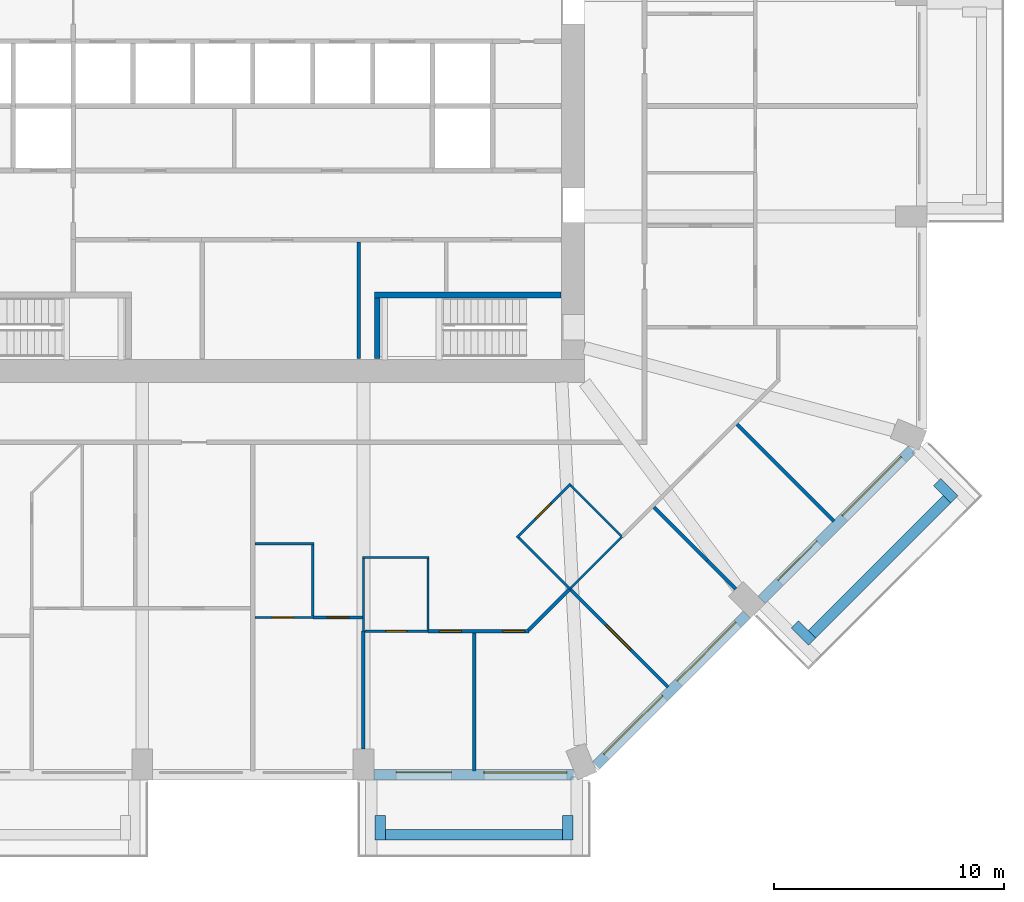
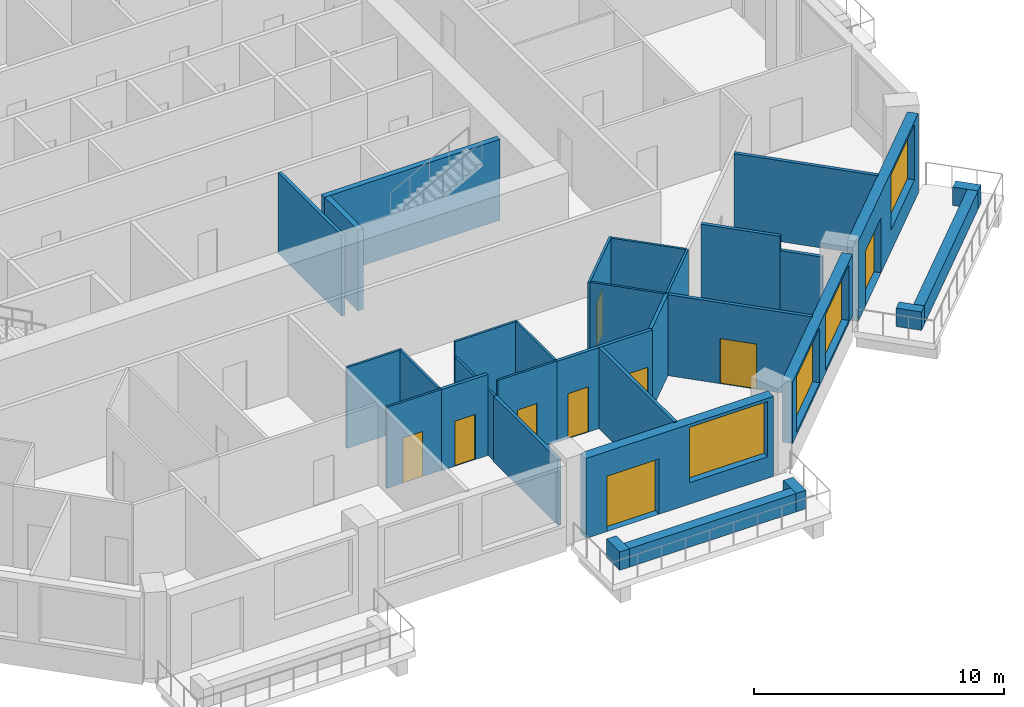
# One storey, part 5 of 13: 32 walls, 9 doors, 4 windows, 13 openings.
"""IFC4 building model written with IfcOpenShell, lengths in metres."""

from ifc_helpers import new_model, si_unit, direction, frame, frame_2d, origin, place, context, subcontext, project, spatial, rectangle, extrude, material, layer, layer_set, type_object, element, fill, save


model = new_model("IFC4")

# Units and contexts
model_context = context("Model", 3, precision=1e-05, world=origin(), true_north=direction((0.0, 1.0)))
body_context = subcontext(model_context, "Body", "Model", "MODEL_VIEW")
ifc_project = project(units=[si_unit("LENGTHUNIT", "METRE"), si_unit("AREAUNIT", "SQUARE_METRE"), si_unit("VOLUMEUNIT", "CUBIC_METRE"), si_unit("PLANEANGLEUNIT", "RADIAN"), si_unit("MASSUNIT", "GRAM", prefix="KILO")], contexts=[model_context])

# Site, building, storey
site_placement = place(None, origin())
site = spatial("IfcSite", under=ifc_project, at=site_placement, CompositionType="ELEMENT")
building_placement = place(site_placement, origin())
building = spatial("IfcBuilding", under=site, at=building_placement, Name="Msitu Wima Residences", CompositionType="ELEMENT")
storey_placement = place(building_placement, frame((0.0, 0.0, 46.5)))
storey = spatial("IfcBuildingStorey", under=building, at=storey_placement, Name="L10", CompositionType="ELEMENT", Elevation=46.5)

# Walls
ifc_material_1 = material(Name="Facing brick")
ifc_layer_1 = layer(ifc_material_1, 0.06494140625, Name="Facing brick")
ifc_material_2 = material(Name="Concrete C40/50", Category="concrete")
ifc_layer_2 = layer(ifc_material_2, 0.156005859375, Name="Concrete C40/50")
ifc_material_3 = material(Name="Waterproofing membrane")
ifc_layer_3 = layer(ifc_material_3, 0.00390625, Name="Waterproofing membrane")
ifc_material_4 = material(Name="Planting soil and planting")
ifc_layer_4 = layer(ifc_material_4, 0.22509765625, Name="Planting soil and planting")
ifc_layer_set_1 = layer_set([ifc_layer_1, ifc_layer_2, ifc_layer_3, ifc_layer_4], Name="Concrete C40/50")
wall_type_1 = type_object("IfcWallType", Name="Balcony planter PLANTER PL450", PredefinedType="USERDEFINED", material=ifc_layer_set_1)
wall_1_placement = place(storey_placement, frame((5.75, -31.625, 0.0), z_axis=(0.0, 0.0, 1.0), x_axis=(1.0, 0.0, 0.0)))
element("IfcWall", 1, at=wall_1_placement, inside=storey, type_object=wall_type_1, Name="Balcony planter S2 L10", ObjectType="PLANTER", PredefinedType="USERDEFINED", context=body_context, shape_type="SweptSolid", body=[
    extrude(rectangle(XDim=7.699951171875, YDim=0.449951171875, at=frame_2d((3.85009765625, 0.0))), origin(), (0.0, 0.0, 1.0), 0.89990234375),
])
for number, where, z_axis, x_axis, name in (
    (2, (5.52490234375, -30.800048828125, 0.0), (0.0, 0.0, 1.0), (0.0, -1.0, 0.0), "Balcony planter S2 L10"),
    (3, (13.675048828125, -30.800048828125, 0.0), (0.0, 0.0, 1.0), (0.0, -1.0, 0.0), "Balcony planter S2 L10"),
):
    element("IfcWall", number, at=place(storey_placement, frame(where, z_axis=z_axis, x_axis=x_axis)), inside=storey, type_object=wall_type_1, Name=name, ObjectType="PLANTER", PredefinedType="USERDEFINED", context=body_context, shape_type="SweptSolid", body=[
        extrude(rectangle(XDim=1.050048828125, YDim=0.449951171875, at=frame_2d((0.52490234375, 0.0))), origin(), (0.0, 0.0, 1.0), 0.89990234375),
    ])
wall_2_placement = place(storey_placement, frame((24.269287109375, -22.92578125, 0.0), z_axis=(0.0, 0.0, 1.0), x_axis=(0.707106781187, 0.707106781187, 0.0)))
element("IfcWall", 4, at=wall_2_placement, inside=storey, type_object=wall_type_1, Name="Balcony planter SE1 L10", ObjectType="PLANTER", PredefinedType="USERDEFINED", context=body_context, shape_type="SweptSolid", body=[
    extrude(rectangle(XDim=8.2822265625, YDim=0.449951171875, at=frame_2d((4.14111328125, 0.0))), origin(), (0.0, 0.0, 1.0), 0.89990234375),
])
for number, where, z_axis, x_axis, name in (
    (5, (23.52685546875, -22.50146484375, 0.0), (0.0, 0.0, 1.0), (0.706990528533, -0.707223014731, 0.0), "Balcony planter SE1 L10"),
    (6, (29.70166015625, -16.326904296875, 0.0), (0.0, 0.0, 1.0), (0.707106781187, -0.707106781187, 0.0), "Balcony planter SE1 L10"),
):
    element("IfcWall", number, at=place(storey_placement, frame(where, z_axis=z_axis, x_axis=x_axis)), inside=storey, type_object=wall_type_1, Name=name, ObjectType="PLANTER", PredefinedType="USERDEFINED", context=body_context, shape_type="SweptSolid", body=[
        extrude(rectangle(XDim=1.050048828125, YDim=0.449951171875, at=frame_2d((0.52490234375, 0.0))), origin(), (0.0, 0.0, 1.0), 0.89990234375),
    ])

# Wall, openings, door, window
ifc_material_5 = material(Name="Brick (red buff mix)", Category="masonry")
ifc_layer_5 = layer(ifc_material_5, 0.449951171875)
ifc_layer_set_2 = layer_set([ifc_layer_5], Name="Brick (red buff mix)")
wall_type_2 = type_object("IfcWallType", Name="Brick infill wall BW450", PredefinedType="SOLIDWALL", material=ifc_layer_set_2)
wall_3_placement = place(storey_placement, frame((5.25, -29.02490234375, 0.0), z_axis=(0.0, 0.0, 1.0), x_axis=(1.0, 0.0, 0.0)))
wall_3 = element("IfcWall", 7, at=wall_3_placement, inside=storey, type_object=wall_type_2, Name="Brick infill wall L10 S2", PredefinedType="SOLIDWALL", context=body_context, shape_type="SweptSolid", body=[
    extrude(rectangle(XDim=8.662841796875, YDim=0.449951171875, at=frame_2d((4.33154296875, 0.0))), origin(), (0.0, 0.0, 1.0), 3.89990234375),
])
opening_1_placement = place(wall_3_placement, frame((0.9658203125, 0.0, 0.0)))
opening_1 = element("IfcOpeningElement", 8, at=opening_1_placement, cuts=wall_3, Name="Opening D08-10.007", PredefinedType="OPENING", context=body_context, shape_type="SweptSolid", body=[
    extrude(rectangle(XDim=2.39990234375, YDim=2.699951171875, at=frame_2d((1.199951171875, 1.35009765625))), frame((0.0, 0.23486328125, 0.0), z_axis=(0.0, -1.0, 0.0), x_axis=(1.0, 0.0, 0.0)), (0.0, 0.0, 1.0), 0.469970703125),
])
opening_2_placement = place(wall_3_placement, frame((4.781494140625, 0.0, 1.050048828125)))
opening_2 = element("IfcOpeningElement", 9, at=opening_2_placement, cuts=wall_3, Name="Opening W08-10.019", PredefinedType="OPENING", context=body_context, shape_type="SweptSolid", body=[
    extrude(rectangle(XDim=3.60009765625, YDim=2.699951171875, at=frame_2d((1.800048828125, 1.35009765625))), frame((0.0, 0.23486328125, 0.0), z_axis=(0.0, -1.0, 0.0), x_axis=(1.0, 0.0, 0.0)), (0.0, 0.0, 1.0), 0.469970703125),
])
ifc_material_6 = material(Name="Anodised aluminium, bronze finish, clear low-emissivity double glazing", Category="aluminium")
door_type_1 = type_object("IfcDoorType", Name="Balcony door D2400x2700", OperationType="SLIDING_TO_LEFT", PredefinedType="DOOR", material=ifc_material_6)
door_1_placement = place(opening_1_placement, origin())
door_1 = element("IfcDoor", 10, at=door_1_placement, inside=storey, type_object=door_type_1, Name="Balcony door L10 S2", OperationType="SINGLE_SWING_LEFT", OverallHeight=2.699951171875, OverallWidth=2.39990234375, PredefinedType="DOOR", context=body_context, shape_type="SweptSolid", body=[
    extrude(rectangle(XDim=2.39990234375, YDim=2.699951171875, at=frame_2d((1.199951171875, 1.35009765625))), frame((0.0, 0.1298828125, 0.0), z_axis=(0.0, -1.0, 0.0), x_axis=(1.0, 0.0, 0.0)), (0.0, 0.0, 1.0), 0.050048828125),
])
fill(opening_1, door_1)
window_type = type_object("IfcWindowType", Name="Window W3600x2700", PartitioningType="DOUBLE_PANEL_VERTICAL", PredefinedType="WINDOW", material=ifc_material_6)
window_1_placement = place(opening_2_placement, origin())
window_1 = element("IfcWindow", 11, at=window_1_placement, inside=storey, type_object=window_type, Name="Window L10 S2.2", OverallHeight=2.699951171875, OverallWidth=3.60009765625, PartitioningType="SINGLE_PANEL", PredefinedType="WINDOW", context=body_context, shape_type="SweptSolid", body=[
    extrude(rectangle(XDim=3.60009765625, YDim=2.699951171875, at=frame_2d((1.800048828125, 1.35009765625))), frame((0.0, 0.135009765625, 0.0), z_axis=(0.0, -1.0, 0.0), x_axis=(1.0, 0.0, 0.0)), (0.0, 0.0, 1.0), 0.06005859375),
])
fill(opening_2, window_1)

# Wall, openings, windows
wall_4_placement = place(storey_placement, frame((14.903564453125, -28.61474609375, 0.89990234375), z_axis=(0.0, 0.0, 1.0), x_axis=(0.707106781187, 0.707106781187, 0.0)))
wall_4 = element("IfcWall", 12, at=wall_4_placement, inside=storey, type_object=wall_type_2, Name="Brick infill wall L10 SE0", PredefinedType="SOLIDWALL", context=body_context, shape_type="SweptSolid", body=[
    extrude(rectangle(XDim=9.2451171875, YDim=0.449951171875, at=frame_2d((4.62255859375, 0.0))), origin(), (0.0, 0.0, 1.0), 3.0),
])
opening_3_placement = place(wall_4_placement, frame((0.572509765625, 0.0, 0.14990234375)))
opening_3 = element("IfcOpeningElement", 13, at=opening_3_placement, cuts=wall_4, Name="Opening W08-10.020", PredefinedType="OPENING", context=body_context, shape_type="SweptSolid", body=[
    extrude(rectangle(XDim=3.60009765625, YDim=2.699951171875, at=frame_2d((1.800048828125, 1.35009765625))), frame((0.0, 0.23486328125, 0.0), z_axis=(0.0, -1.0, 0.0), x_axis=(1.0, 0.0, 0.0)), (0.0, 0.0, 1.0), 0.469970703125),
])
opening_4_placement = place(wall_4_placement, frame((5.072509765625, 0.0, 0.14990234375)))
opening_4 = element("IfcOpeningElement", 14, at=opening_4_placement, cuts=wall_4, Name="Opening W08-10.021", PredefinedType="OPENING", context=body_context, shape_type="SweptSolid", body=[
    extrude(rectangle(XDim=3.60009765625, YDim=2.699951171875, at=frame_2d((1.800048828125, 1.35009765625))), frame((0.0, 0.23486328125, 0.0), z_axis=(0.0, -1.0, 0.0), x_axis=(1.0, 0.0, 0.0)), (0.0, 0.0, 1.0), 0.469970703125),
])
window_2_placement = place(opening_3_placement, origin())
window_2 = element("IfcWindow", 15, at=window_2_placement, inside=storey, type_object=window_type, Name="Window L10 SE0.1", OverallHeight=2.699951171875, OverallWidth=3.60009765625, PartitioningType="SINGLE_PANEL", PredefinedType="WINDOW", context=body_context, shape_type="SweptSolid", body=[
    extrude(rectangle(XDim=3.60009765625, YDim=2.699951171875, at=frame_2d((1.800048828125, 1.35009765625))), frame((0.0, 0.135009765625, 0.0), z_axis=(0.0, -1.0, 0.0), x_axis=(1.0, 0.0, 0.0)), (0.0, 0.0, 1.0), 0.06005859375),
])
fill(opening_3, window_2)
window_3_placement = place(opening_4_placement, origin())
window_3 = element("IfcWindow", 16, at=window_3_placement, inside=storey, type_object=window_type, Name="Window L10 SE0.2", OverallHeight=2.699951171875, OverallWidth=3.60009765625, PartitioningType="SINGLE_PANEL", PredefinedType="WINDOW", context=body_context, shape_type="SweptSolid", body=[
    extrude(rectangle(XDim=3.60009765625, YDim=2.699951171875, at=frame_2d((1.800048828125, 1.35009765625))), frame((0.0, 0.135009765625, 0.0), z_axis=(0.0, -1.0, 0.0), x_axis=(1.0, 0.0, 0.0)), (0.0, 0.0, 1.0), 0.06005859375),
])
fill(opening_4, window_3)

# Wall, openings, door, window
wall_5_placement = place(storey_placement, frame((22.077392578125, -21.44091796875, 0.0), z_axis=(0.0, 0.0, 1.0), x_axis=(0.707106781187, 0.707106781187, 0.0)))
wall_5 = element("IfcWall", 17, at=wall_5_placement, inside=storey, type_object=wall_type_2, Name="Brick infill wall L10 SE1", PredefinedType="SOLIDWALL", context=body_context, shape_type="SweptSolid", body=[
    extrude(rectangle(XDim=9.2451171875, YDim=0.449951171875, at=frame_2d((4.62255859375, 0.0))), origin(), (0.0, 0.0, 1.0), 3.89990234375),
])
opening_5_placement = place(wall_5_placement, frame((1.111328125, 0.0, 0.0)))
opening_5 = element("IfcOpeningElement", 18, at=opening_5_placement, cuts=wall_5, Name="Opening D08-10.008", PredefinedType="OPENING", context=body_context, shape_type="SweptSolid", body=[
    extrude(rectangle(XDim=2.39990234375, YDim=2.699951171875, at=frame_2d((1.199951171875, 1.35009765625))), frame((0.0, 0.23486328125, 0.0), z_axis=(0.0, -1.0, 0.0), x_axis=(1.0, 0.0, 0.0)), (0.0, 0.0, 1.0), 0.469970703125),
])
opening_6_placement = place(wall_5_placement, frame((5.072509765625, 0.0, 1.050048828125)))
opening_6 = element("IfcOpeningElement", 19, at=opening_6_placement, cuts=wall_5, Name="Opening W08-10.022", PredefinedType="OPENING", context=body_context, shape_type="SweptSolid", body=[
    extrude(rectangle(XDim=3.60009765625, YDim=2.699951171875, at=frame_2d((1.800048828125, 1.35009765625))), frame((0.0, 0.23486328125, 0.0), z_axis=(0.0, -1.0, 0.0), x_axis=(1.0, 0.0, 0.0)), (0.0, 0.0, 1.0), 0.469970703125),
])
door_2_placement = place(opening_5_placement, origin())
door_2 = element("IfcDoor", 20, at=door_2_placement, inside=storey, type_object=door_type_1, Name="Balcony door L10 SE1", OperationType="SINGLE_SWING_LEFT", OverallHeight=2.699951171875, OverallWidth=2.39990234375, PredefinedType="DOOR", context=body_context, shape_type="SweptSolid", body=[
    extrude(rectangle(XDim=2.39990234375, YDim=2.699951171875, at=frame_2d((1.199951171875, 1.35009765625))), frame((0.0, 0.1298828125, 0.0), z_axis=(0.0, -1.0, 0.0), x_axis=(1.0, 0.0, 0.0)), (0.0, 0.0, 1.0), 0.050048828125),
])
fill(opening_5, door_2)
window_4_placement = place(opening_6_placement, origin())
window_4 = element("IfcWindow", 21, at=window_4_placement, inside=storey, type_object=window_type, Name="Window L10 SE1.2", OverallHeight=2.699951171875, OverallWidth=3.60009765625, PartitioningType="SINGLE_PANEL", PredefinedType="WINDOW", context=body_context, shape_type="SweptSolid", body=[
    extrude(rectangle(XDim=3.60009765625, YDim=2.699951171875, at=frame_2d((1.800048828125, 1.35009765625))), frame((0.0, 0.135009765625, 0.0), z_axis=(0.0, -1.0, 0.0), x_axis=(1.0, 0.0, 0.0)), (0.0, 0.0, 1.0), 0.06005859375),
])
fill(opening_6, window_4)

# Wall, opening, door
ifc_material_7 = material(Name="Plaster")
ifc_layer_6 = layer(ifc_material_7, 0.011962890625, Name="Plaster")
ifc_material_8 = material(Name="Concrete blockwork", Category="masonry")
ifc_layer_7 = layer(ifc_material_8, 0.1259765625, Name="Concrete blockwork")
ifc_layer_8 = layer(ifc_material_7, 0.011962890625, Name="Plaster")
ifc_layer_set_3 = layer_set([ifc_layer_6, ifc_layer_7, ifc_layer_8], Name="Concrete blockwork")
wall_type_3 = type_object("IfcWallType", Name="Partition PW150", PredefinedType="PARTITIONING", material=ifc_layer_set_3)
wall_6_placement = place(storey_placement, frame((2.6201171875, -22.199951171875, 0.0), z_axis=(0.0, 0.0, 1.0), x_axis=(1.0, 0.0, 0.0)))
wall_6 = element("IfcWall", 22, at=wall_6_placement, inside=storey, type_object=wall_type_3, Name="Partition", PredefinedType="PARTITIONING", context=body_context, shape_type="SweptSolid", body=[
    extrude(rectangle(XDim=2.1298828125, YDim=0.14990234375, at=frame_2d((1.06494140625, 0.0))), origin(), (0.0, 0.0, 1.0), 3.949951171875),
])
opening_7_placement = place(wall_6_placement, frame((0.60009765625, 0.0, 0.0)))
opening_7 = element("IfcOpeningElement", 23, at=opening_7_placement, cuts=wall_6, Name="Opening D08-10.078", PredefinedType="OPENING", context=body_context, shape_type="SweptSolid", body=[
    extrude(rectangle(XDim=0.949951171875, YDim=2.199951171875, at=frame_2d((0.47509765625, 1.10009765625))), frame((0.0, 0.0849609375, 0.0), z_axis=(0.0, -1.0, 0.0), x_axis=(1.0, 0.0, 0.0)), (0.0, 0.0, 1.0), 0.169921875),
])
ifc_material_9 = material(Name="Timber flush door", Category="wood")
door_type_2 = type_object("IfcDoorType", Name="Room door D12 950x2200", OperationType="SINGLE_SWING_LEFT", PredefinedType="DOOR", material=ifc_material_9)
door_3_placement = place(opening_7_placement, origin())
door_3 = element("IfcDoor", 24, at=door_3_placement, inside=storey, type_object=door_type_2, Name="Room door", OperationType="SINGLE_SWING_LEFT", OverallHeight=2.199951171875, OverallWidth=0.949951171875, PredefinedType="DOOR", context=body_context, shape_type="SweptSolid", body=[
    extrude(rectangle(XDim=0.949951171875, YDim=2.199951171875, at=frame_2d((0.47509765625, 1.10009765625))), frame((0.0, 0.02490234375, 0.0), z_axis=(0.0, -1.0, 0.0), x_axis=(1.0, 0.0, 0.0)), (0.0, 0.0, 1.0), 0.050048828125),
])
fill(opening_7, door_3)

# Walls
wall_7_placement = place(storey_placement, frame((4.60009765625, -10.969970703125, 0.0), z_axis=(0.0, 0.0, 1.0), x_axis=(0.0, 1.0, 0.0)))
element("IfcWall", 25, at=wall_7_placement, inside=storey, type_object=wall_type_3, Name="Partition", PredefinedType="PARTITIONING", context=body_context, shape_type="SweptSolid", body=[
    extrude(rectangle(XDim=5.070068359375, YDim=0.14990234375, at=frame_2d((2.53515625, 0.0))), origin(), (0.0, 0.0, 1.0), 3.949951171875),
])
wall_8_placement = place(storey_placement, frame((4.800048828125, -27.89990234375, 0.0), z_axis=(0.0, 0.0, 1.0), x_axis=(0.0, 1.0, 0.0)))
element("IfcWall", 26, at=wall_8_placement, inside=storey, type_object=wall_type_3, Name="Partition", PredefinedType="PARTITIONING", context=body_context, shape_type="SweptSolid", body=[
    extrude(rectangle(XDim=5.119873046875, YDim=0.14990234375, at=frame_2d((2.56005859375, 0.0))), origin(), (0.0, 0.0, 1.0), 3.199951171875),
])

# Wall, openings, doors
wall_9_placement = place(storey_placement, frame((7.60009765625, -22.800048828125, 0.0), z_axis=(0.0, 0.0, 1.0), x_axis=(1.0, 0.0, 0.0)))
wall_9 = element("IfcWall", 27, at=wall_9_placement, inside=storey, type_object=wall_type_3, Name="Partition", PredefinedType="PARTITIONING", context=body_context, shape_type="SweptSolid", body=[
    extrude(rectangle(XDim=4.3896484375, YDim=0.14990234375, at=frame_2d((2.19482421875, 0.0))), origin(), (0.0, 0.0, 1.0), 3.949951171875),
])
opening_8_placement = place(wall_9_placement, frame((0.5, 0.0, 0.0)))
opening_8 = element("IfcOpeningElement", 28, at=opening_8_placement, cuts=wall_9, Name="Opening D08-10.075", PredefinedType="OPENING", context=body_context, shape_type="SweptSolid", body=[
    extrude(rectangle(XDim=0.949951171875, YDim=2.199951171875, at=frame_2d((0.47509765625, 1.10009765625))), frame((0.0, 0.0849609375, 0.0), z_axis=(0.0, -1.0, 0.0), x_axis=(1.0, 0.0, 0.0)), (0.0, 0.0, 1.0), 0.169921875),
])
opening_9_placement = place(wall_9_placement, frame((3.25, 0.0, 0.0)))
opening_9 = element("IfcOpeningElement", 29, at=opening_9_placement, cuts=wall_9, Name="Opening D08-10.081", PredefinedType="OPENING", context=body_context, shape_type="SweptSolid", body=[
    extrude(rectangle(XDim=0.949951171875, YDim=2.199951171875, at=frame_2d((0.47509765625, 1.10009765625))), frame((0.0, 0.0849609375, 0.0), z_axis=(0.0, -1.0, 0.0), x_axis=(1.0, 0.0, 0.0)), (0.0, 0.0, 1.0), 0.169921875),
])
door_4_placement = place(opening_8_placement, origin())
door_4 = element("IfcDoor", 30, at=door_4_placement, inside=storey, type_object=door_type_2, Name="Room door", OperationType="SINGLE_SWING_LEFT", OverallHeight=2.199951171875, OverallWidth=0.949951171875, PredefinedType="DOOR", context=body_context, shape_type="SweptSolid", body=[
    extrude(rectangle(XDim=0.949951171875, YDim=2.199951171875, at=frame_2d((0.47509765625, 1.10009765625))), frame((0.0, 0.02490234375, 0.0), z_axis=(0.0, -1.0, 0.0), x_axis=(1.0, 0.0, 0.0)), (0.0, 0.0, 1.0), 0.050048828125),
])
fill(opening_8, door_4)
door_5_placement = place(opening_9_placement, origin())
door_5 = element("IfcDoor", 31, at=door_5_placement, inside=storey, type_object=door_type_2, Name="Room door", OperationType="SINGLE_SWING_RIGHT", OverallHeight=2.199951171875, OverallWidth=0.949951171875, PredefinedType="DOOR", context=body_context, shape_type="SweptSolid", body=[
    extrude(rectangle(XDim=0.949951171875, YDim=2.199951171875, at=frame_2d((0.47509765625, 1.10009765625))), frame((0.0, 0.02490234375, 0.0), z_axis=(0.0, -1.0, 0.0), x_axis=(1.0, 0.0, 0.0)), (0.0, 0.0, 1.0), 0.050048828125),
])
fill(opening_9, door_5)

# Walls
wall_10_placement = place(storey_placement, frame((9.60009765625, -28.85498046875, 0.0), z_axis=(0.0, 0.0, 1.0), x_axis=(0.0, 1.0, 0.0)))
element("IfcWall", 32, at=wall_10_placement, inside=storey, type_object=wall_type_3, Name="Partition", PredefinedType="PARTITIONING", context=body_context, shape_type="SweptSolid", body=[
    extrude(rectangle(XDim=5.97998046875, YDim=0.14990234375, at=frame_2d((2.989990234375, 0.0))), origin(), (0.0, 0.0, 1.0), 3.949951171875),
])
wall_11_placement = place(storey_placement, frame((11.9677734375, -22.7470703125, 0.0), z_axis=(0.0, 0.0, 1.0), x_axis=(0.707058549081, 0.707155010002, 0.0)))
element("IfcWall", 33, at=wall_11_placement, inside=storey, type_object=wall_type_3, Name="Partition", PredefinedType="PARTITIONING", context=body_context, shape_type="SweptSolid", body=[
    extrude(rectangle(XDim=2.531005859375, YDim=0.14990234375, at=frame_2d((1.265625, 0.0))), origin(), (0.0, 0.0, 1.0), 3.949951171875),
])

# Wall, opening, door
wall_12_placement = place(storey_placement, frame((13.7431640625, -20.943115234375, 0.0), z_axis=(0.0, 0.0, 1.0), x_axis=(0.707086587655, -0.707126974141, 0.0)))
wall_12 = element("IfcWall", 34, at=wall_12_placement, inside=storey, type_object=wall_type_3, Name="Partition", PredefinedType="PARTITIONING", context=body_context, shape_type="SweptSolid", body=[
    extrude(rectangle(XDim=6.045166015625, YDim=0.14990234375, at=frame_2d((3.0224609375, 0.0))), origin(), (0.0, 0.0, 1.0), 3.949951171875),
])
opening_10_placement = place(wall_12_placement, frame((2.25, 0.0, 0.0)))
opening_10 = element("IfcOpeningElement", 35, at=opening_10_placement, cuts=wall_12, Name="Opening D08-10.082", PredefinedType="OPENING", context=body_context, shape_type="SweptSolid", body=[
    extrude(rectangle(XDim=1.5, YDim=2.199951171875, at=frame_2d((0.75, 1.10009765625))), frame((0.0, 0.0849609375, 0.0), z_axis=(0.0, -1.0, 0.0), x_axis=(1.0, 0.0, 0.0)), (0.0, 0.0, 1.0), 0.169921875),
])
ifc_material_10 = material(Name="Timber double door", Category="wood")
door_type_3 = type_object("IfcDoorType", Name="Double door D04 1500x2200", OperationType="DOUBLE_DOOR_SINGLE_SWING", PredefinedType="DOOR", material=ifc_material_10)
door_6_placement = place(opening_10_placement, origin())
door_6 = element("IfcDoor", 36, at=door_6_placement, inside=storey, type_object=door_type_3, Name="Double door", OperationType="DOUBLE_DOOR_SINGLE_SWING", OverallHeight=2.199951171875, OverallWidth=1.5, PredefinedType="DOOR", context=body_context, shape_type="SweptSolid", body=[
    extrude(rectangle(XDim=1.5, YDim=2.199951171875, at=frame_2d((0.75, 1.10009765625))), frame((0.0, 0.02490234375, 0.0), z_axis=(0.0, -1.0, 0.0), x_axis=(1.0, 0.0, 0.0)), (0.0, 0.0, 1.0), 0.050048828125),
])
fill(opening_10, door_6)

# Walls
wall_13_placement = place(storey_placement, frame((17.410400390625, -17.410400390625, 0.0), z_axis=(0.0, 0.0, 1.0), x_axis=(0.707106781187, -0.707106781187, 0.0)))
element("IfcWall", 37, at=wall_13_placement, inside=storey, type_object=wall_type_3, Name="Partition", PredefinedType="PARTITIONING", context=body_context, shape_type="SweptSolid", body=[
    extrude(rectangle(XDim=3.276611328125, YDim=0.14990234375, at=frame_2d((1.63818359375, 0.0))), origin(), (0.0, 0.0, 1.0), 3.949951171875),
])
wall_14_placement = place(storey_placement, frame((19.727294921875, -19.727294921875, 0.0), z_axis=(0.0, 0.0, 1.0), x_axis=(0.707106781187, -0.707106781187, 0.0)))
element("IfcWall", 38, at=wall_14_placement, inside=storey, type_object=wall_type_3, Name="Partition", PredefinedType="PARTITIONING", context=body_context, shape_type="SweptSolid", body=[
    extrude(rectangle(XDim=1.74853515625, YDim=0.14990234375, at=frame_2d((0.874267578125, 0.0))), origin(), (0.0, 0.0, 1.0), 3.25),
])
wall_15_placement = place(storey_placement, frame((21.010498046875, -13.810302734375, 0.0), z_axis=(0.0, 0.0, 1.0), x_axis=(0.707106781187, -0.707106781187, 0.0)))
element("IfcWall", 39, at=wall_15_placement, inside=storey, type_object=wall_type_3, Name="Partition", PredefinedType="PARTITIONING", context=body_context, shape_type="SweptSolid", body=[
    extrude(rectangle(XDim=5.949951171875, YDim=0.14990234375, at=frame_2d((2.97509765625, 0.0))), origin(), (0.0, 0.0, 1.0), 3.949951171875),
])
ifc_material_11 = material(Name="Concrete C50/60", Category="concrete")
ifc_layer_9 = layer(ifc_material_11, 0.25)
ifc_layer_set_4 = layer_set([ifc_layer_9], Name="Concrete C50/60")
wall_type_4 = type_object("IfcWallType", Name="Stair enclosure wall SW250", PredefinedType="SHEAR", material=ifc_layer_set_4)
wall_16_placement = place(storey_placement, frame((5.39990234375, -10.969970703125, 0.0), z_axis=(0.0, 0.0, 1.0), x_axis=(0.0, 1.0, 0.0)))
element("IfcWall", 40, at=wall_16_placement, inside=storey, type_object=wall_type_4, Name="Stair enclosure wall", PredefinedType="SHEAR", context=body_context, shape_type="SweptSolid", body=[
    extrude(rectangle(XDim=2.64501953125, YDim=0.25, at=frame_2d((1.322509765625, 0.0))), origin(), (0.0, 0.0, 1.0), 3.949951171875),
])
wall_17_placement = place(storey_placement, frame((5.27490234375, -8.199951171875, 0.0), z_axis=(0.0, 0.0, 1.0), x_axis=(1.0, 0.0, 0.0)))
element("IfcWall", 41, at=wall_17_placement, inside=storey, type_object=wall_type_4, Name="Stair enclosure wall", PredefinedType="SHEAR", context=body_context, shape_type="SweptSolid", body=[
    extrude(rectangle(XDim=8.09521484375, YDim=0.25, at=frame_2d((4.047607421875, 0.0))), origin(), (0.0, 0.0, 1.0), 3.949951171875),
])

# Wall, opening, door
ifc_material_12 = material(Name="Ceramic tiles")
ifc_layer_10 = layer(ifc_material_12, 0.008056640625, Name="Ceramic tiles")
ifc_material_13 = material(Name="Moisture-resistant board")
ifc_layer_11 = layer(ifc_material_13, 0.012451171875, Name="Moisture-resistant board")
ifc_material_14 = material(Name="Light-gauge stud framing with mineral wool")
ifc_layer_12 = layer(ifc_material_14, 0.06689453125, Name="Light-gauge stud framing with mineral wool")
ifc_layer_13 = layer(ifc_material_13, 0.012451171875, Name="Moisture-resistant board")
ifc_layer_set_5 = layer_set([ifc_layer_10, ifc_layer_11, ifc_layer_12, ifc_layer_13], Name="Light-gauge stud framing with mineral wool")
wall_type_5 = type_object("IfcWallType", Name="Wet wall PW100", PredefinedType="PARTITIONING", material=ifc_layer_set_5)
wall_18_placement = place(storey_placement, frame((0.10009765625, -22.199951171875, 0.0), z_axis=(0.0, 0.0, 1.0), x_axis=(1.0, 0.0, 0.0)))
wall_18 = element("IfcWall", 42, at=wall_18_placement, inside=storey, type_object=wall_type_5, Name="Wet wall", PredefinedType="PARTITIONING", context=body_context, shape_type="SweptSolid", body=[
    extrude(rectangle(XDim=2.52001953125, YDim=0.10009765625, at=frame_2d((1.260009765625, 0.0))), origin(), (0.0, 0.0, 1.0), 3.949951171875),
])
opening_11_placement = place(wall_18_placement, frame((0.75, 0.0, 0.0)))
opening_11 = element("IfcOpeningElement", 43, at=opening_11_placement, cuts=wall_18, Name="Opening D08-10.079", PredefinedType="OPENING", context=body_context, shape_type="SweptSolid", body=[
    extrude(rectangle(XDim=0.89990234375, YDim=2.199951171875, at=frame_2d((0.449951171875, 1.10009765625))), frame((0.0, 0.06005859375, 0.0), z_axis=(0.0, -1.0, 0.0), x_axis=(1.0, 0.0, 0.0)), (0.0, 0.0, 1.0), 0.1201171875),
])
ifc_material_15 = material(Name="Timber flush door, moisture resistant", Category="wood")
door_type_4 = type_object("IfcDoorType", Name="Bathroom door D03 900x2200", OperationType="SINGLE_SWING_LEFT", PredefinedType="DOOR", material=ifc_material_15)
door_7_placement = place(opening_11_placement, origin())
door_7 = element("IfcDoor", 44, at=door_7_placement, inside=storey, type_object=door_type_4, Name="Bathroom door", OperationType="SINGLE_SWING_LEFT", OverallHeight=2.199951171875, OverallWidth=0.89990234375, PredefinedType="DOOR", context=body_context, shape_type="SweptSolid", body=[
    extrude(rectangle(XDim=0.89990234375, YDim=2.199951171875, at=frame_2d((0.449951171875, 1.10009765625))), frame((0.0, 0.02490234375, 0.0), z_axis=(0.0, -1.0, 0.0), x_axis=(1.0, 0.0, 0.0)), (0.0, 0.0, 1.0), 0.050048828125),
])
fill(opening_11, door_7)

# Walls
wall_19_placement = place(storey_placement, frame((0.10009765625, -19.0, 0.0), z_axis=(0.0, 0.0, 1.0), x_axis=(1.0, 0.0, 0.0)))
element("IfcWall", 45, at=wall_19_placement, inside=storey, type_object=wall_type_5, Name="Wet wall", PredefinedType="PARTITIONING", context=body_context, shape_type="SweptSolid", body=[
    extrude(rectangle(XDim=2.5498046875, YDim=0.10009765625, at=frame_2d((1.27490234375, 0.0))), origin(), (0.0, 0.0, 1.0), 3.949951171875),
])
wall_20_placement = place(storey_placement, frame((2.60009765625, -22.125, 0.0), z_axis=(0.0, 0.0, 1.0), x_axis=(0.0, 1.0, 0.0)))
element("IfcWall", 46, at=wall_20_placement, inside=storey, type_object=wall_type_5, Name="Wet wall", PredefinedType="PARTITIONING", context=body_context, shape_type="SweptSolid", body=[
    extrude(rectangle(XDim=3.074951171875, YDim=0.10009765625, at=frame_2d((1.53759765625, 0.0))), origin(), (0.0, 0.0, 1.0), 3.949951171875),
])
wall_21_placement = place(storey_placement, frame((4.800048828125, -22.780029296875, 0.0), z_axis=(0.0, 0.0, 1.0), x_axis=(0.0, 1.0, 0.0)))
element("IfcWall", 47, at=wall_21_placement, inside=storey, type_object=wall_type_5, Name="Wet wall", PredefinedType="PARTITIONING", context=body_context, shape_type="SweptSolid", body=[
    extrude(rectangle(XDim=3.130126953125, YDim=0.10009765625, at=frame_2d((1.56494140625, 0.0))), origin(), (0.0, 0.0, 1.0), 3.199951171875),
])

# Wall, opening, door
wall_22_placement = place(storey_placement, frame((4.875, -22.800048828125, 0.0), z_axis=(0.0, 0.0, 1.0), x_axis=(1.0, 0.0, 0.0)))
wall_22 = element("IfcWall", 48, at=wall_22_placement, inside=storey, type_object=wall_type_5, Name="Wet wall", PredefinedType="PARTITIONING", context=body_context, shape_type="SweptSolid", body=[
    extrude(rectangle(XDim=2.72509765625, YDim=0.10009765625, at=frame_2d((1.362548828125, 0.0))), origin(), (0.0, 0.0, 1.0), 3.949951171875),
])
opening_12_placement = place(wall_22_placement, frame((0.89990234375, 0.0, 0.0)))
opening_12 = element("IfcOpeningElement", 49, at=opening_12_placement, cuts=wall_22, Name="Opening D08-10.076", PredefinedType="OPENING", context=body_context, shape_type="SweptSolid", body=[
    extrude(rectangle(XDim=0.89990234375, YDim=2.199951171875, at=frame_2d((0.449951171875, 1.10009765625))), frame((0.0, 0.06005859375, 0.0), z_axis=(0.0, -1.0, 0.0), x_axis=(1.0, 0.0, 0.0)), (0.0, 0.0, 1.0), 0.1201171875),
])
door_8_placement = place(opening_12_placement, origin())
door_8 = element("IfcDoor", 50, at=door_8_placement, inside=storey, type_object=door_type_4, Name="Bathroom door", OperationType="SINGLE_SWING_RIGHT", OverallHeight=2.199951171875, OverallWidth=0.89990234375, PredefinedType="DOOR", context=body_context, shape_type="SweptSolid", body=[
    extrude(rectangle(XDim=0.89990234375, YDim=2.199951171875, at=frame_2d((0.449951171875, 1.10009765625))), frame((0.0, 0.02490234375, 0.0), z_axis=(0.0, -1.0, 0.0), x_axis=(1.0, 0.0, 0.0)), (0.0, 0.0, 1.0), 0.050048828125),
])
fill(opening_12, door_8)

# Walls
wall_23_placement = place(storey_placement, frame((4.75, -19.60009765625, 0.0), z_axis=(0.0, 0.0, 1.0), x_axis=(1.0, 0.0, 0.0)))
element("IfcWall", 51, at=wall_23_placement, inside=storey, type_object=wall_type_5, Name="Wet wall", PredefinedType="PARTITIONING", context=body_context, shape_type="SweptSolid", body=[
    extrude(rectangle(XDim=2.89990234375, YDim=0.10009765625, at=frame_2d((1.449951171875, 0.0))), origin(), (0.0, 0.0, 1.0), 3.949951171875),
])
wall_24_placement = place(storey_placement, frame((7.60009765625, -22.72509765625, 0.0), z_axis=(0.0, 0.0, 1.0), x_axis=(0.0, 1.0, 0.0)))
element("IfcWall", 52, at=wall_24_placement, inside=storey, type_object=wall_type_5, Name="Wet wall", PredefinedType="PARTITIONING", context=body_context, shape_type="SweptSolid", body=[
    extrude(rectangle(XDim=3.0751953125, YDim=0.10009765625, at=frame_2d((1.53759765625, 0.0))), origin(), (0.0, 0.0, 1.0), 3.949951171875),
])

# Wall, opening, door
wall_25_placement = place(storey_placement, frame((11.459228515625, -18.72998046875, 0.0), z_axis=(0.0, 0.0, 1.0), x_axis=(0.707106781187, 0.707106781187, 0.0)))
wall_25 = element("IfcWall", 53, at=wall_25_placement, inside=storey, type_object=wall_type_5, Name="Wet wall", PredefinedType="PARTITIONING", context=body_context, shape_type="SweptSolid", body=[
    extrude(rectangle(XDim=3.300048828125, YDim=0.10009765625, at=frame_2d((1.64990234375, 0.0))), origin(), (0.0, 0.0, 1.0), 3.949951171875),
])
opening_13_placement = place(wall_25_placement, frame((1.14990234375, 0.0, 0.0)))
opening_13 = element("IfcOpeningElement", 54, at=opening_13_placement, cuts=wall_25, Name="Opening D08-10.083", PredefinedType="OPENING", context=body_context, shape_type="SweptSolid", body=[
    extrude(rectangle(XDim=0.949951171875, YDim=2.199951171875, at=frame_2d((0.47509765625, 1.10009765625))), frame((0.0, 0.06005859375, 0.0), z_axis=(0.0, -1.0, 0.0), x_axis=(1.0, 0.0, 0.0)), (0.0, 0.0, 1.0), 0.1201171875),
])
door_9_placement = place(opening_13_placement, origin())
door_9 = element("IfcDoor", 55, at=door_9_placement, inside=storey, type_object=door_type_2, Name="Room door", OperationType="SINGLE_SWING_RIGHT", OverallHeight=2.199951171875, OverallWidth=0.949951171875, PredefinedType="DOOR", context=body_context, shape_type="SweptSolid", body=[
    extrude(rectangle(XDim=0.949951171875, YDim=2.199951171875, at=frame_2d((0.47509765625, 1.10009765625))), frame((0.0, 0.02490234375, 0.0), z_axis=(0.0, -1.0, 0.0), x_axis=(1.0, 0.0, 0.0)), (0.0, 0.0, 1.0), 0.050048828125),
])
fill(opening_13, door_9)

# Walls
wall_26_placement = place(storey_placement, frame((11.530029296875, -18.72998046875, 0.0), z_axis=(0.0, 0.0, 1.0), x_axis=(0.707106781187, -0.707106781187, 0.0)))
element("IfcWall", 56, at=wall_26_placement, inside=storey, type_object=wall_type_5, Name="Wet wall", PredefinedType="PARTITIONING", context=body_context, shape_type="SweptSolid", body=[
    extrude(rectangle(XDim=3.1298828125, YDim=0.10009765625, at=frame_2d((1.56494140625, 0.0))), origin(), (0.0, 0.0, 1.0), 3.949951171875),
])
wall_27_placement = place(storey_placement, frame((13.75732421875, -20.957275390625, 0.0), z_axis=(0.0, 0.0, 1.0), x_axis=(0.707106781187, 0.707106781187, 0.0)))
element("IfcWall", 57, at=wall_27_placement, inside=storey, type_object=wall_type_5, Name="Wet wall", PredefinedType="PARTITIONING", context=body_context, shape_type="SweptSolid", body=[
    extrude(rectangle(XDim=3.199951171875, YDim=0.10009765625, at=frame_2d((1.60009765625, 0.0))), origin(), (0.0, 0.0, 1.0), 3.949951171875),
])
wall_28_placement = place(storey_placement, frame((13.792724609375, -16.46728515625, 0.0), z_axis=(0.0, 0.0, 1.0), x_axis=(0.707146157869, -0.707067402311, 0.0)))
element("IfcWall", 58, at=wall_28_placement, inside=storey, type_object=wall_type_5, Name="Wet wall", PredefinedType="PARTITIONING", context=body_context, shape_type="SweptSolid", body=[
    extrude(rectangle(XDim=3.10009765625, YDim=0.10009765625, at=frame_2d((1.550048828125, 0.0))), origin(), (0.0, 0.0, 1.0), 3.949951171875),
])

save(model, "model.ifc")
